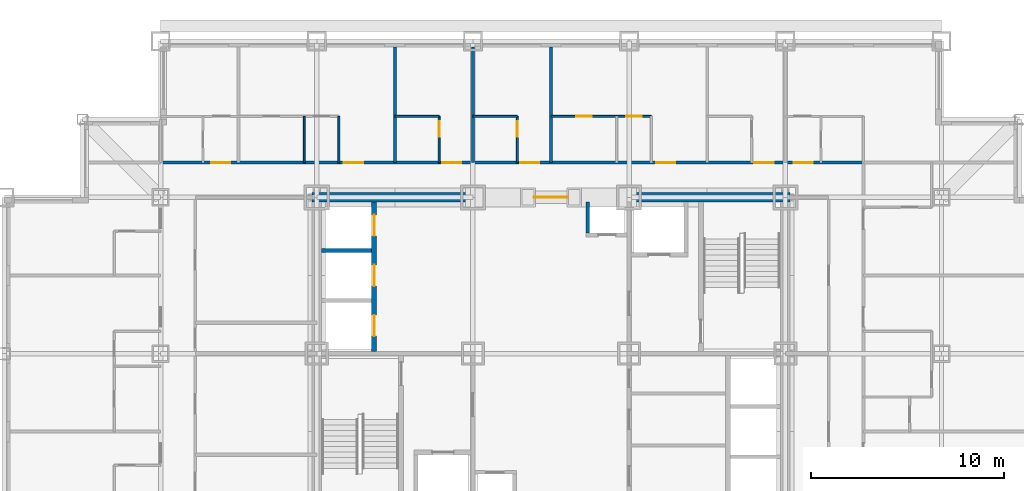
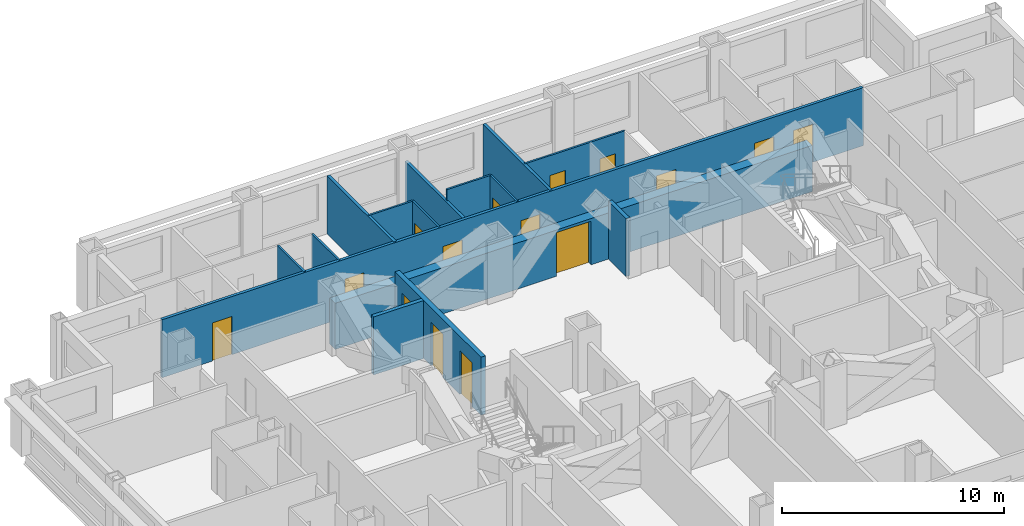
# One storey, part 9 of 12: 15 doors, 15 walls, 15 openings.
"""IFC4 building model written with IfcOpenShell, lengths in metres."""

from ifc_helpers import new_model, si_unit, direction, frame, frame_2d, origin, place, context, subcontext, project, spatial, rectangle, extrude, material, layer, layer_set, type_object, element, fill, save


model = new_model("IFC4")

# Units and contexts
model_context = context("Model", 3, precision=1e-05, world=origin(), true_north=direction((0.0, 1.0)))
body_context = subcontext(model_context, "Body", "Model", "MODEL_VIEW")
ifc_project = project(units=[si_unit("LENGTHUNIT", "METRE"), si_unit("AREAUNIT", "SQUARE_METRE"), si_unit("VOLUMEUNIT", "CUBIC_METRE"), si_unit("PLANEANGLEUNIT", "RADIAN"), si_unit("MASSUNIT", "GRAM", prefix="KILO")], contexts=[model_context])

# Site, building, storey
site_placement = place(None, origin())
site = spatial("IfcSite", under=ifc_project, at=site_placement, CompositionType="ELEMENT")
building_placement = place(site_placement, origin())
building = spatial("IfcBuilding", under=site, at=building_placement, Name="Kopane Lantern Tower", CompositionType="ELEMENT")
storey_placement = place(building_placement, frame((0.0, 0.0, 70.39990234375)))
storey = spatial("IfcBuildingStorey", under=building, at=storey_placement, Name="L17", CompositionType="ELEMENT", Elevation=70.39990234375)

# Walls
ifc_material_1 = material(Name="Moisture-resistant board on steel studs", Category="steel")
ifc_layer_1 = layer(ifc_material_1, 0.10009765625)
ifc_layer_set_1 = layer_set([ifc_layer_1], Name="BATHROOM WALL 100")
wall_type_1 = type_object("IfcWallType", Name="BATHROOM WALL 100", PredefinedType="PARTITIONING", material=ifc_layer_set_1)
for number, where, z_axis, x_axis, name in (
    (1, (15.550048828125, 42.300048828125, 0.0), (0.0, 0.0, 1.0), (0.0, 1.0, 0.0), "Bathroom Wall 100 L17"),
    (2, (17.35009765625, 42.300048828125, 0.0), (0.0, 0.0, 1.0), (0.0, 1.0, 0.0), "Bathroom Wall 100 L17"),
):
    element("IfcWall", number, at=place(storey_placement, frame(where, z_axis=z_axis, x_axis=x_axis)), inside=storey, type_object=wall_type_1, Name=name, PredefinedType="PARTITIONING", context=body_context, shape_type="SweptSolid", body=[
        extrude(rectangle(XDim=2.39990234375, YDim=0.10009765625, at=frame_2d((1.199951171875, 0.0))), origin(), (0.0, 0.0, 1.0), 3.190185546875),
    ])
wall_1_placement = place(storey_placement, frame((20.25, 44.699951171875, 0.0), z_axis=(0.0, 0.0, 1.0), x_axis=(1.0, 0.0, 0.0)))
element("IfcWall", 3, at=wall_1_placement, inside=storey, type_object=wall_type_1, Name="Bathroom Wall 100 L17", PredefinedType="PARTITIONING", context=body_context, shape_type="SweptSolid", body=[
    extrude(rectangle(XDim=2.300048828125, YDim=0.10009765625, at=frame_2d((1.14990234375, 0.0))), origin(), (0.0, 0.0, 1.0), 3.190185546875),
])

# Wall, opening, door
wall_2_placement = place(storey_placement, frame((22.550048828125, 42.300048828125, 0.0), z_axis=(0.0, 0.0, 1.0), x_axis=(0.0, 1.0, 0.0)))
wall_2 = element("IfcWall", 4, at=wall_2_placement, inside=storey, type_object=wall_type_1, Name="Bathroom Wall 100 L17", PredefinedType="PARTITIONING", context=body_context, shape_type="SweptSolid", body=[
    extrude(rectangle(XDim=2.39990234375, YDim=0.10009765625, at=frame_2d((1.199951171875, 0.0))), origin(), (0.0, 0.0, 1.0), 3.190185546875),
])
opening_1_placement = place(wall_2_placement, frame((1.35009765625, 0.0, 0.0)))
opening_1 = element("IfcOpeningElement", 5, at=opening_1_placement, cuts=wall_2, Name="Opening L17-032", PredefinedType="OPENING", context=body_context, shape_type="SweptSolid", body=[
    extrude(rectangle(XDim=0.800048828125, YDim=2.10009765625, at=frame_2d((0.39990234375, 1.050048828125))), frame((0.0, 0.06005859375, 0.0), z_axis=(0.0, -1.0, 0.0), x_axis=(1.0, 0.0, 0.0)), (0.0, 0.0, 1.0), 0.1201171875),
])
ifc_material_2 = material(Name="Timber door set", Category="wood")
door_type_1 = type_object("IfcDoorType", Name="DOOR D2 800x2100", OperationType="SINGLE_SWING_LEFT", PredefinedType="DOOR", material=ifc_material_2)
door_1_placement = place(opening_1_placement, origin())
door_1 = element("IfcDoor", 6, at=door_1_placement, inside=storey, type_object=door_type_1, Name="Door L17-032", OperationType="SINGLE_SWING_RIGHT", OverallHeight=2.10009765625, OverallWidth=0.800048828125, PredefinedType="DOOR", context=body_context, shape_type="SweptSolid", body=[
    extrude(rectangle(XDim=0.800048828125, YDim=2.10009765625, at=frame_2d((0.39990234375, 1.050048828125))), frame((0.0, 0.02490234375, 0.0), z_axis=(0.0, -1.0, 0.0), x_axis=(1.0, 0.0, 0.0)), (0.0, 0.0, 1.0), 0.050048828125),
])
fill(opening_1, door_1)

# Wall
wall_3_placement = place(storey_placement, frame((24.300048828125, 44.699951171875, 0.0), z_axis=(0.0, 0.0, 1.0), x_axis=(1.0, 0.0, 0.0)))
element("IfcWall", 7, at=wall_3_placement, inside=storey, type_object=wall_type_1, Name="Bathroom Wall 100 L17", PredefinedType="PARTITIONING", context=body_context, shape_type="SweptSolid", body=[
    extrude(rectangle(XDim=2.300048828125, YDim=0.10009765625, at=frame_2d((1.14990234375, 0.0))), origin(), (0.0, 0.0, 1.0), 3.190185546875),
])

# Wall, opening, door
wall_4_placement = place(storey_placement, frame((26.60009765625, 42.300048828125, 0.0), z_axis=(0.0, 0.0, 1.0), x_axis=(0.0, 1.0, 0.0)))
wall_4 = element("IfcWall", 8, at=wall_4_placement, inside=storey, type_object=wall_type_1, Name="Bathroom Wall 100 L17", PredefinedType="PARTITIONING", context=body_context, shape_type="SweptSolid", body=[
    extrude(rectangle(XDim=2.39990234375, YDim=0.10009765625, at=frame_2d((1.199951171875, 0.0))), origin(), (0.0, 0.0, 1.0), 3.190185546875),
])
opening_2_placement = place(wall_4_placement, frame((1.35009765625, 0.0, 0.0)))
opening_2 = element("IfcOpeningElement", 9, at=opening_2_placement, cuts=wall_4, Name="Opening L17-034", PredefinedType="OPENING", context=body_context, shape_type="SweptSolid", body=[
    extrude(rectangle(XDim=0.800048828125, YDim=2.10009765625, at=frame_2d((0.39990234375, 1.050048828125))), frame((0.0, 0.06005859375, 0.0), z_axis=(0.0, -1.0, 0.0), x_axis=(1.0, 0.0, 0.0)), (0.0, 0.0, 1.0), 0.1201171875),
])
door_2_placement = place(opening_2_placement, origin())
door_2 = element("IfcDoor", 10, at=door_2_placement, inside=storey, type_object=door_type_1, Name="Door L17-034", OperationType="SINGLE_SWING_RIGHT", OverallHeight=2.10009765625, OverallWidth=0.800048828125, PredefinedType="DOOR", context=body_context, shape_type="SweptSolid", body=[
    extrude(rectangle(XDim=0.800048828125, YDim=2.10009765625, at=frame_2d((0.39990234375, 1.050048828125))), frame((0.0, 0.02490234375, 0.0), z_axis=(0.0, -1.0, 0.0), x_axis=(1.0, 0.0, 0.0)), (0.0, 0.0, 1.0), 0.050048828125),
])
fill(opening_2, door_2)

# Wall, openings, doors
wall_5_placement = place(storey_placement, frame((28.35009765625, 44.699951171875, 0.0), z_axis=(0.0, 0.0, 1.0), x_axis=(1.0, 0.0, 0.0)))
wall_5 = element("IfcWall", 11, at=wall_5_placement, inside=storey, type_object=wall_type_1, Name="Bathroom Wall 100 L17", PredefinedType="PARTITIONING", context=body_context, shape_type="SweptSolid", body=[
    extrude(rectangle(XDim=5.199951171875, YDim=0.10009765625, at=frame_2d((2.60009765625, 0.0))), origin(), (0.0, 0.0, 1.0), 3.190185546875),
])
opening_3_placement = place(wall_5_placement, frame((1.300048828125, 0.0, 0.0)))
opening_3 = element("IfcOpeningElement", 12, at=opening_3_placement, cuts=wall_5, Name="Opening L17-036", PredefinedType="OPENING", context=body_context, shape_type="SweptSolid", body=[
    extrude(rectangle(XDim=0.800048828125, YDim=2.10009765625, at=frame_2d((0.39990234375, 1.050048828125))), frame((0.0, 0.06005859375, 0.0), z_axis=(0.0, -1.0, 0.0), x_axis=(1.0, 0.0, 0.0)), (0.0, 0.0, 1.0), 0.1201171875),
])
opening_4_placement = place(wall_5_placement, frame((3.89990234375, 0.0, 0.0)))
opening_4 = element("IfcOpeningElement", 13, at=opening_4_placement, cuts=wall_5, Name="Opening L17-037", PredefinedType="OPENING", context=body_context, shape_type="SweptSolid", body=[
    extrude(rectangle(XDim=0.800048828125, YDim=2.10009765625, at=frame_2d((0.39990234375, 1.050048828125))), frame((0.0, 0.06005859375, 0.0), z_axis=(0.0, -1.0, 0.0), x_axis=(1.0, 0.0, 0.0)), (0.0, 0.0, 1.0), 0.1201171875),
])
door_3_placement = place(opening_3_placement, origin())
door_3 = element("IfcDoor", 14, at=door_3_placement, inside=storey, type_object=door_type_1, Name="Door L17-036", OperationType="SINGLE_SWING_LEFT", OverallHeight=2.10009765625, OverallWidth=0.800048828125, PredefinedType="DOOR", context=body_context, shape_type="SweptSolid", body=[
    extrude(rectangle(XDim=0.800048828125, YDim=2.10009765625, at=frame_2d((0.39990234375, 1.050048828125))), frame((0.0, 0.02490234375, 0.0), z_axis=(0.0, -1.0, 0.0), x_axis=(1.0, 0.0, 0.0)), (0.0, 0.0, 1.0), 0.050048828125),
])
fill(opening_3, door_3)
door_4_placement = place(opening_4_placement, origin())
door_4 = element("IfcDoor", 15, at=door_4_placement, inside=storey, type_object=door_type_1, Name="Door L17-037", OperationType="SINGLE_SWING_LEFT", OverallHeight=2.10009765625, OverallWidth=0.800048828125, PredefinedType="DOOR", context=body_context, shape_type="SweptSolid", body=[
    extrude(rectangle(XDim=0.800048828125, YDim=2.10009765625, at=frame_2d((0.39990234375, 1.050048828125))), frame((0.0, 0.02490234375, 0.0), z_axis=(0.0, -1.0, 0.0), x_axis=(1.0, 0.0, 0.0)), (0.0, 0.0, 1.0), 0.050048828125),
])
fill(opening_4, door_4)

# Wall, opening, door
ifc_material_3 = material(Name="Gypsum shaft wall EI 120", Category="gypsum")
ifc_layer_2 = layer(ifc_material_3, 0.5)
ifc_layer_set_2 = layer_set([ifc_layer_2], Name="CORE PERIMETER WALL 500 EI 120")
wall_type_2 = type_object("IfcWallType", Name="CORE PERIMETER WALL 500 EI 120", PredefinedType="SOLIDWALL", material=ifc_layer_set_2)
wall_6_placement = place(storey_placement, frame((15.949951171875, 40.5, 0.0), z_axis=(0.0, 0.0, 1.0), x_axis=(1.0, 0.0, 0.0)))
wall_6 = element("IfcWall", 16, at=wall_6_placement, inside=storey, type_object=wall_type_2, Name="Core shaft wall L17 PN", PredefinedType="SOLIDWALL", context=body_context, shape_type="SweptSolid", body=[
    extrude(rectangle(XDim=24.800048828125, YDim=0.5, at=frame_2d((12.39990234375, 0.0))), origin(), (0.0, 0.0, 1.0), 2.5400390625),
])
opening_5_placement = place(wall_6_placement, frame((11.5, 0.0, 0.0)))
opening_5 = element("IfcOpeningElement", 17, at=opening_5_placement, cuts=wall_6, Name="Opening 17.CE-N", PredefinedType="OPENING", context=body_context, shape_type="SweptSolid", body=[
    extrude(rectangle(XDim=1.800048828125, YDim=2.39990234375, at=frame_2d((0.89990234375, 1.199951171875))), frame((0.0, 0.260009765625, 0.0), z_axis=(0.0, -1.0, 0.0), x_axis=(1.0, 0.0, 0.0)), (0.0, 0.0, 1.0), 0.52001953125),
])
ifc_material_4 = material(Name="Steel door set", Category="steel")
door_type_2 = type_object("IfcDoorType", Name="CORE ENTRY DOOR 1800x2400 FD60S", OperationType="DOUBLE_DOOR_SINGLE_SWING", PredefinedType="DOOR", material=ifc_material_4)
door_5_placement = place(opening_5_placement, origin())
door_5 = element("IfcDoor", 18, at=door_5_placement, inside=storey, type_object=door_type_2, Name="Core entry door L17 north", OperationType="DOUBLE_DOOR_SINGLE_SWING", OverallHeight=2.39990234375, OverallWidth=1.800048828125, PredefinedType="DOOR", context=body_context, shape_type="SweptSolid", body=[
    extrude(rectangle(XDim=1.800048828125, YDim=2.39990234375, at=frame_2d((0.89990234375, 1.199951171875))), frame((0.0, 0.02490234375, 0.0), z_axis=(0.0, -1.0, 0.0), x_axis=(1.0, 0.0, 0.0)), (0.0, 0.0, 1.0), 0.050048828125),
])
fill(opening_5, door_5)

# Wall, openings, doors
ifc_material_5 = material(Name="Gypsum shaft wall EI 120", Category="gypsum")
ifc_layer_3 = layer(ifc_material_5, 0.25)
ifc_layer_set_3 = layer_set([ifc_layer_3], Name="CORE SHAFT WALL 250 EI 120")
wall_type_3 = type_object("IfcWallType", Name="CORE SHAFT WALL 250 EI 120", PredefinedType="SOLIDWALL", material=ifc_layer_set_3)
wall_7_placement = place(storey_placement, frame((19.175048828125, 32.5, 0.0), z_axis=(0.0, 0.0, 1.0), x_axis=(0.0, 1.0, 0.0)))
wall_7 = element("IfcWall", 19, at=wall_7_placement, inside=storey, type_object=wall_type_3, Name="Core shaft wall L17 XLH", PredefinedType="SOLIDWALL", context=body_context, shape_type="SweptSolid", body=[
    extrude(rectangle(XDim=7.75, YDim=0.25, at=frame_2d((3.875, 0.0))), origin(), (0.0, 0.0, 1.0), 3.190185546875),
])
opening_6_placement = place(wall_7_placement, frame((0.800048828125, 0.0, 0.0)))
opening_6 = element("IfcOpeningElement", 20, at=opening_6_placement, cuts=wall_7, Name="Opening 17.LD-LH1", PredefinedType="OPENING", context=body_context, shape_type="SweptSolid", body=[
    extrude(rectangle(XDim=1.10009765625, YDim=2.39990234375, at=frame_2d((0.550048828125, 1.199951171875))), frame((0.0, 0.135009765625, 0.0), z_axis=(0.0, -1.0, 0.0), x_axis=(1.0, 0.0, 0.0)), (0.0, 0.0, 1.0), 0.27001953125),
])
opening_7_placement = place(wall_7_placement, frame((3.39990234375, 0.0, 0.0)))
opening_7 = element("IfcOpeningElement", 21, at=opening_7_placement, cuts=wall_7, Name="Opening 17.LD-LH2", PredefinedType="OPENING", context=body_context, shape_type="SweptSolid", body=[
    extrude(rectangle(XDim=1.10009765625, YDim=2.39990234375, at=frame_2d((0.550048828125, 1.199951171875))), frame((0.0, 0.135009765625, 0.0), z_axis=(0.0, -1.0, 0.0), x_axis=(1.0, 0.0, 0.0)), (0.0, 0.0, 1.0), 0.27001953125),
])
opening_8_placement = place(wall_7_placement, frame((6.0, 0.0, 0.0)))
opening_8 = element("IfcOpeningElement", 22, at=opening_8_placement, cuts=wall_7, Name="Opening 17.LD-LH3", PredefinedType="OPENING", context=body_context, shape_type="SweptSolid", body=[
    extrude(rectangle(XDim=1.10009765625, YDim=2.39990234375, at=frame_2d((0.550048828125, 1.199951171875))), frame((0.0, 0.135009765625, 0.0), z_axis=(0.0, -1.0, 0.0), x_axis=(1.0, 0.0, 0.0)), (0.0, 0.0, 1.0), 0.27001953125),
])
ifc_material_6 = material(Name="Steel door set", Category="steel")
door_type_3 = type_object("IfcDoorType", Name="LIFT LANDING DOOR 1100x2400 FD60", OperationType="DOUBLE_DOOR_SLIDING", PredefinedType="DOOR", material=ifc_material_6)
door_6_placement = place(opening_6_placement, origin())
door_6 = element("IfcDoor", 23, at=door_6_placement, inside=storey, type_object=door_type_3, Name="Landing door LH1 L17", OperationType="DOUBLE_DOOR_SLIDING", OverallHeight=2.39990234375, OverallWidth=1.10009765625, PredefinedType="DOOR", context=body_context, shape_type="SweptSolid", body=[
    extrude(rectangle(XDim=1.10009765625, YDim=2.39990234375, at=frame_2d((0.550048828125, 1.199951171875))), frame((0.0, 0.02490234375, 0.0), z_axis=(0.0, -1.0, 0.0), x_axis=(1.0, 0.0, 0.0)), (0.0, 0.0, 1.0), 0.050048828125),
])
fill(opening_6, door_6)
door_7_placement = place(opening_7_placement, origin())
door_7 = element("IfcDoor", 24, at=door_7_placement, inside=storey, type_object=door_type_3, Name="Landing door LH2 L17", OperationType="DOUBLE_DOOR_SLIDING", OverallHeight=2.39990234375, OverallWidth=1.10009765625, PredefinedType="DOOR", context=body_context, shape_type="SweptSolid", body=[
    extrude(rectangle(XDim=1.10009765625, YDim=2.39990234375, at=frame_2d((0.550048828125, 1.199951171875))), frame((0.0, 0.02490234375, 0.0), z_axis=(0.0, -1.0, 0.0), x_axis=(1.0, 0.0, 0.0)), (0.0, 0.0, 1.0), 0.050048828125),
])
fill(opening_7, door_7)
door_8_placement = place(opening_8_placement, origin())
door_8 = element("IfcDoor", 25, at=door_8_placement, inside=storey, type_object=door_type_3, Name="Landing door LH3 L17", OperationType="DOUBLE_DOOR_SLIDING", OverallHeight=2.39990234375, OverallWidth=1.10009765625, PredefinedType="DOOR", context=body_context, shape_type="SweptSolid", body=[
    extrude(rectangle(XDim=1.10009765625, YDim=2.39990234375, at=frame_2d((0.550048828125, 1.199951171875))), frame((0.0, 0.02490234375, 0.0), z_axis=(0.0, -1.0, 0.0), x_axis=(1.0, 0.0, 0.0)), (0.0, 0.0, 1.0), 0.050048828125),
])
fill(opening_8, door_8)

ifc_material_7 = material(Name="Gypsum board on steel studs", Category="steel")
ifc_layer_4 = layer(ifc_material_7, 0.14990234375)
ifc_layer_set_4 = layer_set([ifc_layer_4], Name="CORRIDOR WALL 150 EI 60")
wall_type_4 = type_object("IfcWallType", Name="CORRIDOR WALL 150 EI 60", PredefinedType="PARTITIONING", material=ifc_layer_set_4)
wall_8_placement = place(storey_placement, frame((8.10009765625, 42.300048828125, 0.0), z_axis=(0.0, 0.0, 1.0), x_axis=(1.0, 0.0, 0.0)))
wall_8 = element("IfcWall", 26, at=wall_8_placement, inside=storey, type_object=wall_type_4, Name="Corridor Wall 150 Ei 60 L17", PredefinedType="PARTITIONING", context=body_context, shape_type="SweptSolid", body=[
    extrude(rectangle(XDim=36.449951171875, YDim=0.14990234375, at=frame_2d((18.22509765625, 0.0))), origin(), (0.0, 0.0, 1.0), 3.190185546875),
])
opening_9_placement = place(wall_8_placement, frame((9.5, 0.0, 0.0)))
opening_9 = element("IfcOpeningElement", 27, at=opening_9_placement, cuts=wall_8, Name="Opening L17-031", PredefinedType="OPENING", context=body_context, shape_type="SweptSolid", body=[
    extrude(rectangle(XDim=1.0, YDim=2.10009765625, at=frame_2d((0.5, 1.050048828125))), frame((0.0, 0.0849609375, 0.0), z_axis=(0.0, -1.0, 0.0), x_axis=(1.0, 0.0, 0.0)), (0.0, 0.0, 1.0), 0.169921875),
])
opening_10_placement = place(wall_8_placement, frame((14.60009765625, 0.0, 0.0)))
opening_10 = element("IfcOpeningElement", 28, at=opening_10_placement, cuts=wall_8, Name="Opening L17-033", PredefinedType="OPENING", context=body_context, shape_type="SweptSolid", body=[
    extrude(rectangle(XDim=1.0, YDim=2.10009765625, at=frame_2d((0.5, 1.050048828125))), frame((0.0, 0.0849609375, 0.0), z_axis=(0.0, -1.0, 0.0), x_axis=(1.0, 0.0, 0.0)), (0.0, 0.0, 1.0), 0.169921875),
])
opening_11_placement = place(wall_8_placement, frame((18.64990234375, 0.0, 0.0)))
opening_11 = element("IfcOpeningElement", 29, at=opening_11_placement, cuts=wall_8, Name="Opening L17-035", PredefinedType="OPENING", context=body_context, shape_type="SweptSolid", body=[
    extrude(rectangle(XDim=1.0, YDim=2.10009765625, at=frame_2d((0.5, 1.050048828125))), frame((0.0, 0.0849609375, 0.0), z_axis=(0.0, -1.0, 0.0), x_axis=(1.0, 0.0, 0.0)), (0.0, 0.0, 1.0), 0.169921875),
])
opening_12_placement = place(wall_8_placement, frame((25.699951171875, 0.0, 0.0)))
opening_12 = element("IfcOpeningElement", 30, at=opening_12_placement, cuts=wall_8, Name="Opening L17-038", PredefinedType="OPENING", context=body_context, shape_type="SweptSolid", body=[
    extrude(rectangle(XDim=1.0, YDim=2.10009765625, at=frame_2d((0.5, 1.050048828125))), frame((0.0, 0.0849609375, 0.0), z_axis=(0.0, -1.0, 0.0), x_axis=(1.0, 0.0, 0.0)), (0.0, 0.0, 1.0), 0.169921875),
])
opening_13_placement = place(wall_8_placement, frame((30.800048828125, 0.0, 0.0)))
opening_13 = element("IfcOpeningElement", 31, at=opening_13_placement, cuts=wall_8, Name="Opening L17-040", PredefinedType="OPENING", context=body_context, shape_type="SweptSolid", body=[
    extrude(rectangle(XDim=1.0, YDim=2.10009765625, at=frame_2d((0.5, 1.050048828125))), frame((0.0, 0.0849609375, 0.0), z_axis=(0.0, -1.0, 0.0), x_axis=(1.0, 0.0, 0.0)), (0.0, 0.0, 1.0), 0.169921875),
])
opening_14_placement = place(wall_8_placement, frame((32.824951171875, 0.0, 0.0)))
opening_14 = element("IfcOpeningElement", 32, at=opening_14_placement, cuts=wall_8, Name="Opening L17-078", PredefinedType="OPENING", context=body_context, shape_type="SweptSolid", body=[
    extrude(rectangle(XDim=1.0, YDim=2.10009765625, at=frame_2d((0.5, 1.050048828125))), frame((0.0, 0.0849609375, 0.0), z_axis=(0.0, -1.0, 0.0), x_axis=(1.0, 0.0, 0.0)), (0.0, 0.0, 1.0), 0.169921875),
])
opening_15_placement = place(wall_8_placement, frame((2.625, 0.0, 0.0)))
opening_15 = element("IfcOpeningElement", 33, at=opening_15_placement, cuts=wall_8, Name="Opening L17-081", PredefinedType="OPENING", context=body_context, shape_type="SweptSolid", body=[
    extrude(rectangle(XDim=1.0, YDim=2.10009765625, at=frame_2d((0.5, 1.050048828125))), frame((0.0, 0.0849609375, 0.0), z_axis=(0.0, -1.0, 0.0), x_axis=(1.0, 0.0, 0.0)), (0.0, 0.0, 1.0), 0.169921875),
])
ifc_material_8 = material(Name="Steel door set", Category="steel")
door_type_4 = type_object("IfcDoorType", Name="DOOR D1 1000x2100 FD30S", OperationType="SINGLE_SWING_LEFT", PredefinedType="DOOR", material=ifc_material_8)
door_9_placement = place(opening_9_placement, origin())
door_9 = element("IfcDoor", 34, at=door_9_placement, inside=storey, type_object=door_type_4, Name="Door L17-031", OperationType="SINGLE_SWING_LEFT", OverallHeight=2.10009765625, OverallWidth=1.0, PredefinedType="DOOR", context=body_context, shape_type="SweptSolid", body=[
    extrude(rectangle(XDim=1.0, YDim=2.10009765625, at=frame_2d((0.5, 1.050048828125))), frame((0.0, 0.02490234375, 0.0), z_axis=(0.0, -1.0, 0.0), x_axis=(1.0, 0.0, 0.0)), (0.0, 0.0, 1.0), 0.050048828125),
])
fill(opening_9, door_9)
door_10_placement = place(opening_10_placement, origin())
door_10 = element("IfcDoor", 35, at=door_10_placement, inside=storey, type_object=door_type_4, Name="Door L17-033", OperationType="SINGLE_SWING_LEFT", OverallHeight=2.10009765625, OverallWidth=1.0, PredefinedType="DOOR", context=body_context, shape_type="SweptSolid", body=[
    extrude(rectangle(XDim=1.0, YDim=2.10009765625, at=frame_2d((0.5, 1.050048828125))), frame((0.0, 0.02490234375, 0.0), z_axis=(0.0, -1.0, 0.0), x_axis=(1.0, 0.0, 0.0)), (0.0, 0.0, 1.0), 0.050048828125),
])
fill(opening_10, door_10)
door_11_placement = place(opening_11_placement, origin())
door_11 = element("IfcDoor", 36, at=door_11_placement, inside=storey, type_object=door_type_4, Name="Door L17-035", OperationType="SINGLE_SWING_LEFT", OverallHeight=2.10009765625, OverallWidth=1.0, PredefinedType="DOOR", context=body_context, shape_type="SweptSolid", body=[
    extrude(rectangle(XDim=1.0, YDim=2.10009765625, at=frame_2d((0.5, 1.050048828125))), frame((0.0, 0.02490234375, 0.0), z_axis=(0.0, -1.0, 0.0), x_axis=(1.0, 0.0, 0.0)), (0.0, 0.0, 1.0), 0.050048828125),
])
fill(opening_11, door_11)
door_12_placement = place(opening_12_placement, origin())
door_12 = element("IfcDoor", 37, at=door_12_placement, inside=storey, type_object=door_type_4, Name="Door L17-038", OperationType="SINGLE_SWING_LEFT", OverallHeight=2.10009765625, OverallWidth=1.0, PredefinedType="DOOR", context=body_context, shape_type="SweptSolid", body=[
    extrude(rectangle(XDim=1.0, YDim=2.10009765625, at=frame_2d((0.5, 1.050048828125))), frame((0.0, 0.02490234375, 0.0), z_axis=(0.0, -1.0, 0.0), x_axis=(1.0, 0.0, 0.0)), (0.0, 0.0, 1.0), 0.050048828125),
])
fill(opening_12, door_12)
door_13_placement = place(opening_13_placement, origin())
door_13 = element("IfcDoor", 38, at=door_13_placement, inside=storey, type_object=door_type_4, Name="Door L17-040", OperationType="SINGLE_SWING_LEFT", OverallHeight=2.10009765625, OverallWidth=1.0, PredefinedType="DOOR", context=body_context, shape_type="SweptSolid", body=[
    extrude(rectangle(XDim=1.0, YDim=2.10009765625, at=frame_2d((0.5, 1.050048828125))), frame((0.0, 0.02490234375, 0.0), z_axis=(0.0, -1.0, 0.0), x_axis=(1.0, 0.0, 0.0)), (0.0, 0.0, 1.0), 0.050048828125),
])
fill(opening_13, door_13)
door_14_placement = place(opening_14_placement, origin())
door_14 = element("IfcDoor", 39, at=door_14_placement, inside=storey, type_object=door_type_4, Name="Door L17-078", OperationType="SINGLE_SWING_LEFT", OverallHeight=2.10009765625, OverallWidth=1.0, PredefinedType="DOOR", context=body_context, shape_type="SweptSolid", body=[
    extrude(rectangle(XDim=1.0, YDim=2.10009765625, at=frame_2d((0.5, 1.050048828125))), frame((0.0, 0.02490234375, 0.0), z_axis=(0.0, -1.0, 0.0), x_axis=(1.0, 0.0, 0.0)), (0.0, 0.0, 1.0), 0.050048828125),
])
fill(opening_14, door_14)
door_15_placement = place(opening_15_placement, origin())
door_15 = element("IfcDoor", 40, at=door_15_placement, inside=storey, type_object=door_type_4, Name="Door L17-081", OperationType="SINGLE_SWING_LEFT", OverallHeight=2.10009765625, OverallWidth=1.0, PredefinedType="DOOR", context=body_context, shape_type="SweptSolid", body=[
    extrude(rectangle(XDim=1.0, YDim=2.10009765625, at=frame_2d((0.5, 1.050048828125))), frame((0.0, 0.02490234375, 0.0), z_axis=(0.0, -1.0, 0.0), x_axis=(1.0, 0.0, 0.0)), (0.0, 0.0, 1.0), 0.050048828125),
])
fill(opening_15, door_15)

# Walls
ifc_material_9 = material(Name="Gypsum board on steel studs", Category="steel")
ifc_layer_5 = layer(ifc_material_9, 0.14990234375)
ifc_layer_set_5 = layer_set([ifc_layer_5], Name="DEMISING WALL 150 EI 60")
wall_type_5 = type_object("IfcWallType", Name="DEMISING WALL 150 EI 60", PredefinedType="PARTITIONING", material=ifc_layer_set_5)
wall_9_placement = place(storey_placement, frame((20.25, 42.300048828125, 0.0), z_axis=(0.0, 0.0, 1.0), x_axis=(0.0, 1.0, 0.0)))
element("IfcWall", 41, at=wall_9_placement, inside=storey, type_object=wall_type_5, Name="Demising Wall 150 Ei 60 L17", PredefinedType="PARTITIONING", context=body_context, shape_type="SweptSolid", body=[
    extrude(rectangle(XDim=6.0, YDim=0.14990234375, at=frame_2d((3.0, 0.0))), origin(), (0.0, 0.0, 1.0), 3.190185546875),
])
wall_10_placement = place(storey_placement, frame((24.300048828125, 42.300048828125, 0.0), z_axis=(0.0, 0.0, 1.0), x_axis=(0.0, 1.0, 0.0)))
element("IfcWall", 42, at=wall_10_placement, inside=storey, type_object=wall_type_5, Name="Demising Wall 150 Ei 60 L17", PredefinedType="PARTITIONING", context=body_context, shape_type="SweptSolid", body=[
    extrude(rectangle(XDim=6.0, YDim=0.14990234375, at=frame_2d((3.0, 0.0))), origin(), (0.0, 0.0, 1.0), 2.577880859375),
])
wall_11_placement = place(storey_placement, frame((28.35009765625, 42.300048828125, 0.0), z_axis=(0.0, 0.0, 1.0), x_axis=(0.0, 1.0, 0.0)))
element("IfcWall", 43, at=wall_11_placement, inside=storey, type_object=wall_type_5, Name="Demising Wall 150 Ei 60 L17", PredefinedType="PARTITIONING", context=body_context, shape_type="SweptSolid", body=[
    extrude(rectangle(XDim=6.0, YDim=0.14990234375, at=frame_2d((3.0, 0.0))), origin(), (0.0, 0.0, 1.0), 3.190185546875),
])
ifc_material_10 = material(Name="Gypsum shaft wall EI 120", Category="gypsum")
ifc_layer_6 = layer(ifc_material_10, 0.199951171875)
ifc_layer_set_6 = layer_set([ifc_layer_6], Name="SHAFT WALL 200 EI 120")
wall_type_6 = type_object("IfcWallType", Name="SHAFT WALL 200 EI 120", PredefinedType="SOLIDWALL", material=ifc_layer_set_6)
wall_12_placement = place(storey_placement, frame((16.449951171875, 37.75, 0.0), z_axis=(0.0, 0.0, 1.0), x_axis=(1.0, 0.0, 0.0)))
element("IfcWall", 44, at=wall_12_placement, inside=storey, type_object=wall_type_6, Name="Core shaft wall L17 YLH23", PredefinedType="SOLIDWALL", context=body_context, shape_type="SweptSolid", body=[
    extrude(rectangle(XDim=2.60009765625, YDim=0.199951171875, at=frame_2d((1.300048828125, 0.0))), origin(), (0.0, 0.0, 1.0), 3.190185546875),
])
wall_13_placement = place(storey_placement, frame((30.25, 38.64990234375, 0.0), z_axis=(0.0, 0.0, 1.0), x_axis=(0.0, 1.0, 0.0)))
element("IfcWall", 45, at=wall_13_placement, inside=storey, type_object=wall_type_6, Name="Core shaft wall L17 XRS2", PredefinedType="SOLIDWALL", context=body_context, shape_type="SweptSolid", body=[
    extrude(rectangle(XDim=1.60009765625, YDim=0.199951171875, at=frame_2d((0.800048828125, 0.0))), origin(), (0.0, 0.0, 1.0), 3.190185546875),
])

save(model, "model.ifc")
